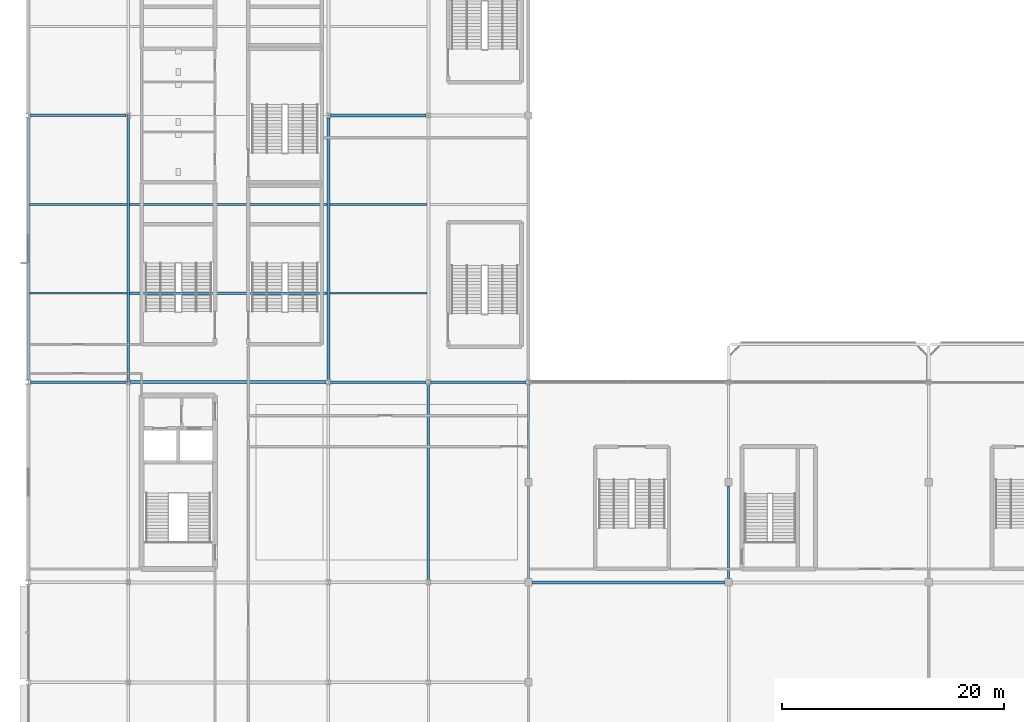
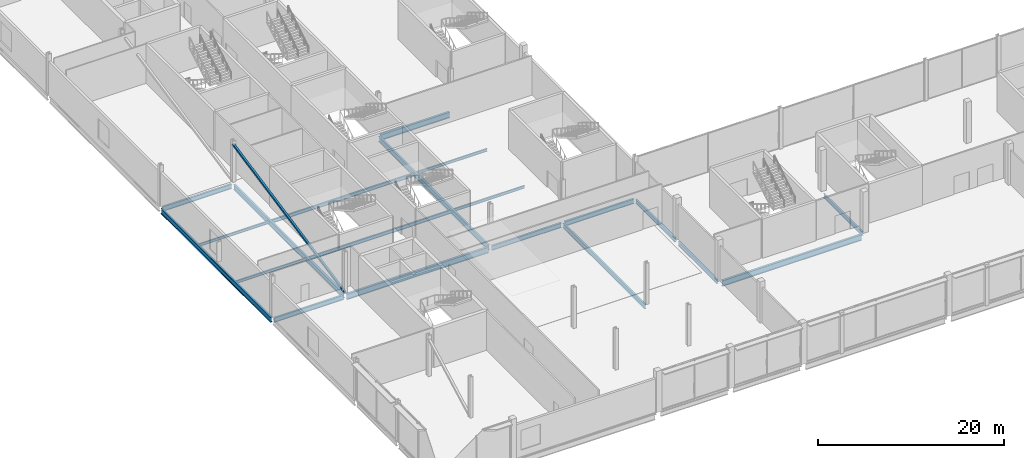
# One storey, part 16 of 113: 20 beams, 1 member.
"""IFC4 building model written with IfcOpenShell, lengths in metres."""

from ifc_helpers import new_model, si_unit, direction, frame, origin, origin_2d, place, context, subcontext, project, spatial, hollow_rectangle, i_section, extrude, material, material_profile, profile_set, type_object, element, save


model = new_model("IFC4")

# Units and contexts
model_context = context("Model", 3, precision=1e-05, world=origin(), true_north=direction((0.0, 1.0)))
body_context = subcontext(model_context, "Body", "Model", "MODEL_VIEW")
ifc_project = project(units=[si_unit("LENGTHUNIT", "METRE"), si_unit("AREAUNIT", "SQUARE_METRE"), si_unit("VOLUMEUNIT", "CUBIC_METRE"), si_unit("PLANEANGLEUNIT", "RADIAN"), si_unit("MASSUNIT", "GRAM", prefix="KILO")], contexts=[model_context])

# Site, building, storey
site_placement = place(None, origin())
site = spatial("IfcSite", under=ifc_project, at=site_placement, CompositionType="ELEMENT")
building_placement = place(site_placement, origin())
building = spatial("IfcBuilding", under=site, at=building_placement, Name="Kisiwana Market Hall", CompositionType="ELEMENT")
storey_placement = place(building_placement, frame((0.0, 0.0, 6.0)))
storey = spatial("IfcBuildingStorey", under=building, at=storey_placement, Name="L01", CompositionType="ELEMENT", Elevation=6.0)

# Beams
ifc_material_1 = material(Name="Steel S355", Category="steel")
ifc_material_profile_1 = material_profile(ifc_material_1, i_section(OverallWidth=0.209228515625, OverallDepth=0.533203125, WebThickness=0.010009765625, FlangeThickness=0.015625, at=origin_2d()), Name="UB 533x210x92")
ifc_profile_set_1 = profile_set([ifc_material_profile_1], Name="Steel S355")
beam_type_1 = type_object("IfcBeamType", Name="BM-GIRD-UB533", PredefinedType="BEAM", material=ifc_profile_set_1)
beam_1_placement = place(storey_placement, frame((45.0, 18.345947265625, -0.5166015625), z_axis=(0.0, 1.0, 0.0), x_axis=(-1.0, 0.0, 0.0)))
element("IfcBeam", 1, at=beam_1_placement, inside=storey, type_object=beam_type_1, Name="Primary girder B-0355", PredefinedType="BEAM", context=body_context, shape_type="SweptSolid", body=[
    extrude(i_section(OverallWidth=0.209228515625, OverallDepth=0.533203125, WebThickness=0.010009765625, FlangeThickness=0.015625, at=origin_2d()), origin(), (0.0, 0.0, 1.0), 8.30810546875),
])
beam_2_placement = place(storey_placement, frame((45.0, 27.345947265625, -0.5166015625), z_axis=(0.0, 1.0, 0.0), x_axis=(-1.0, 0.0, 0.0)))
element("IfcBeam", 2, at=beam_2_placement, inside=storey, type_object=beam_type_1, Name="Primary girder B-0356", PredefinedType="BEAM", context=body_context, shape_type="SweptSolid", body=[
    extrude(i_section(OverallWidth=0.209228515625, OverallDepth=0.533203125, WebThickness=0.010009765625, FlangeThickness=0.015625, at=origin_2d()), origin(), (0.0, 0.0, 1.0), 8.440673828125),
])
beam_3_placement = place(storey_placement, frame((63.0, 18.345947265625, -0.5166015625), z_axis=(0.0, 1.0, 0.0), x_axis=(-1.0, 0.0, 0.0)))
element("IfcBeam", 3, at=beam_3_placement, inside=storey, type_object=beam_type_1, Name="Primary girder B-0362", PredefinedType="BEAM", context=body_context, shape_type="SweptSolid", body=[
    extrude(i_section(OverallWidth=0.209228515625, OverallDepth=0.533203125, WebThickness=0.010009765625, FlangeThickness=0.015625, at=origin_2d()), origin(), (0.0, 0.0, 1.0), 8.30810546875),
])
ifc_material_2 = material(Name="Steel S355", Category="steel")
ifc_material_profile_2 = material_profile(ifc_material_2, i_section(OverallWidth=0.22900390625, OverallDepth=0.6123046875, WebThickness=0.011962890625, FlangeThickness=0.01953125, at=origin_2d()), Name="UB 610x229x125")
ifc_profile_set_2 = profile_set([ifc_material_profile_2], Name="Steel S355")
beam_type_2 = type_object("IfcBeamType", Name="BM-GIRD-UB610H", PredefinedType="BEAM", material=ifc_profile_set_2)
for number, where, z_axis, x_axis, name in (
    (4, (0.201904296875, 36.0, -0.55615234375), (1.0, 0.0, 0.0), (0.0, 1.0, 0.0), "Floor beam B-0485"),
    (5, (27.201904296875, 36.0, -0.55615234375), (1.0, 0.0, 0.0), (0.0, 1.0, 0.0), "Floor beam B-0487"),
    (6, (36.201904296875, 36.0, -0.55615234375), (1.0, 0.0, 0.0), (0.0, 1.0, 0.0), "Floor beam B-0488"),
    (7, (0.201904296875, 60.0, -0.55615234375), (1.0, 0.0, 0.0), (0.0, 1.0, 0.0), "Primary girder B-0329"),
):
    element("IfcBeam", number, at=place(storey_placement, frame(where, z_axis=z_axis, x_axis=x_axis)), inside=storey, type_object=beam_type_2, Name=name, PredefinedType="BEAM", context=body_context, shape_type="SweptSolid", body=[
        extrude(i_section(OverallWidth=0.22900390625, OverallDepth=0.6123046875, WebThickness=0.011962890625, FlangeThickness=0.01953125, at=origin_2d()), origin(), (0.0, 0.0, 1.0), 8.59619140625),
    ])
beam_4_placement = place(storey_placement, frame((36.0, 18.21337890625, -0.55615234375), z_axis=(0.0, 1.0, 0.0), x_axis=(-1.0, 0.0, 0.0)))
element("IfcBeam", 8, at=beam_4_placement, inside=storey, type_object=beam_type_2, Name="Primary girder B-0347", PredefinedType="BEAM", context=body_context, shape_type="SweptSolid", body=[
    extrude(i_section(OverallWidth=0.22900390625, OverallDepth=0.6123046875, WebThickness=0.011962890625, FlangeThickness=0.01953125, at=origin_2d()), origin(), (0.0, 0.0, 1.0), 17.5732421875),
])
ifc_material_3 = material(Name="Steel S355", Category="steel")
ifc_material_profile_3 = material_profile(ifc_material_3, i_section(OverallWidth=0.253662109375, OverallDepth=0.68359375, WebThickness=0.012451171875, FlangeThickness=0.01904296875, at=origin_2d()), Name="UB 686x254x140")
ifc_profile_set_3 = profile_set([ifc_material_profile_3], Name="Steel S355")
beam_type_3 = type_object("IfcBeamType", Name="BM-GIRD-UB686", PredefinedType="BEAM", material=ifc_profile_set_3)
for number, where, z_axis, x_axis, name in (
    (9, (0.0, 36.21337890625, -0.591796875), (0.0, 1.0, 0.0), (-1.0, 0.0, 0.0), "Floor beam B-0558"),
    (10, (27.0, 36.21337890625, -0.591796875), (0.0, 1.0, 0.0), (-1.0, 0.0, 0.0), "Floor beam B-0563"),
    (11, (9.0, 36.21337890625, -0.591796875), (0.0, 1.0, 0.0), (-1.0, 0.0, 0.0), "Primary girder B-0334"),
):
    element("IfcBeam", number, at=place(storey_placement, frame(where, z_axis=z_axis, x_axis=x_axis)), inside=storey, type_object=beam_type_3, Name=name, PredefinedType="BEAM", context=body_context, shape_type="SweptSolid", body=[
        extrude(i_section(OverallWidth=0.253662109375, OverallDepth=0.68359375, WebThickness=0.012451171875, FlangeThickness=0.01904296875, at=origin_2d()), origin(), (0.0, 0.0, 1.0), 23.5732421875),
    ])
ifc_material_4 = material(Name="Steel S355", Category="steel")
ifc_material_profile_4 = material_profile(ifc_material_4, i_section(OverallWidth=0.2666015625, OverallDepth=0.76220703125, WebThickness=0.014404296875, FlangeThickness=0.021484375, at=origin_2d()), Name="UB 762x267x173")
ifc_profile_set_4 = profile_set([ifc_material_profile_4], Name="Steel S355")
beam_type_4 = type_object("IfcBeamType", Name="BM-GIRD-UB762", PredefinedType="BEAM", material=ifc_profile_set_4)
beam_5_placement = place(storey_placement, frame((45.345947265625, 18.0, -0.631103515625), z_axis=(1.0, 0.0, 0.0), x_axis=(0.0, 1.0, 0.0)))
element("IfcBeam", 12, at=beam_5_placement, inside=storey, type_object=beam_type_4, Name="Floor beam B-0475", PredefinedType="BEAM", context=body_context, shape_type="SweptSolid", body=[
    extrude(i_section(OverallWidth=0.2666015625, OverallDepth=0.76220703125, WebThickness=0.014404296875, FlangeThickness=0.021484375, at=origin_2d()), origin(), (0.0, 0.0, 1.0), 17.30810546875),
])
beam_6_placement = place(storey_placement, frame((9.201904296875, 36.0, -0.631103515625), z_axis=(1.0, 0.0, 0.0), x_axis=(0.0, 1.0, 0.0)))
element("IfcBeam", 13, at=beam_6_placement, inside=storey, type_object=beam_type_4, Name="Floor beam B-0486", PredefinedType="BEAM", context=body_context, shape_type="SweptSolid", body=[
    extrude(i_section(OverallWidth=0.2666015625, OverallDepth=0.76220703125, WebThickness=0.014404296875, FlangeThickness=0.021484375, at=origin_2d()), origin(), (0.0, 0.0, 1.0), 17.59619140625),
])
beam_7_placement = place(storey_placement, frame((27.201904296875, 60.0, -0.631103515625), z_axis=(1.0, 0.0, 0.0), x_axis=(0.0, 1.0, 0.0)))
element("IfcBeam", 14, at=beam_7_placement, inside=storey, type_object=beam_type_4, Name="Floor beam B-0501", PredefinedType="BEAM", context=body_context, shape_type="SweptSolid", body=[
    extrude(i_section(OverallWidth=0.2666015625, OverallDepth=0.76220703125, WebThickness=0.014404296875, FlangeThickness=0.021484375, at=origin_2d()), origin(), (0.0, 0.0, 1.0), 8.59619140625),
])
ifc_material_5 = material(Name="Steel S355", Category="steel")
ifc_material_profile_5 = material_profile(ifc_material_5, i_section(OverallWidth=0.17138671875, OverallDepth=0.35498046875, WebThickness=0.00732421875, FlangeThickness=0.011474609375, at=origin_2d()), Name="UB 356x171x51")
ifc_profile_set_5 = profile_set([ifc_material_profile_5], Name="Steel S355")
beam_type_5 = type_object("IfcBeamType", Name="BM-JOIST-UB356", PredefinedType="JOIST", material=ifc_profile_set_5)
for number, where, z_axis, x_axis, name in (
    (15, (0.125732421875, 44.0, -0.427490234375), (1.0, 0.0, 0.0), (0.0, 1.0, 0.0), "Secondary floor joist B-0421"),
    (16, (27.125732421875, 44.0, -0.427490234375), (1.0, 0.0, 0.0), (0.0, 1.0, 0.0), "Secondary floor joist B-0423"),
    (17, (0.125732421875, 52.0, -0.427490234375), (1.0, 0.0, 0.0), (0.0, 1.0, 0.0), "Secondary floor joist B-0427"),
    (18, (27.125732421875, 52.0, -0.427490234375), (1.0, 0.0, 0.0), (0.0, 1.0, 0.0), "Secondary floor joist B-0429"),
):
    element("IfcBeam", number, at=place(storey_placement, frame(where, z_axis=z_axis, x_axis=x_axis)), inside=storey, type_object=beam_type_5, Name=name, PredefinedType="JOIST", context=body_context, shape_type="SweptSolid", body=[
        extrude(i_section(OverallWidth=0.17138671875, OverallDepth=0.35498046875, WebThickness=0.00732421875, FlangeThickness=0.011474609375, at=origin_2d()), origin(), (0.0, 0.0, 1.0), 8.74853515625),
    ])
ifc_material_6 = material(Name="Steel S355", Category="steel")
ifc_material_profile_6 = material_profile(ifc_material_6, i_section(OverallWidth=0.18994140625, OverallDepth=0.453369140625, WebThickness=0.008544921875, FlangeThickness=0.0126953125, at=origin_2d()), Name="UB 457x191x67")
ifc_profile_set_6 = profile_set([ifc_material_profile_6], Name="Steel S355")
beam_type_6 = type_object("IfcBeamType", Name="BM-JOIST-UB457", PredefinedType="JOIST", material=ifc_profile_set_6)
for number, where, z_axis, x_axis, name in (
    (19, (9.125732421875, 44.0, -0.476806640625), (1.0, 0.0, 0.0), (0.0, 1.0, 0.0), "Secondary floor joist B-0422"),
    (20, (9.125732421875, 52.0, -0.476806640625), (1.0, 0.0, 0.0), (0.0, 1.0, 0.0), "Secondary floor joist B-0428"),
):
    element("IfcBeam", number, at=place(storey_placement, frame(where, z_axis=z_axis, x_axis=x_axis)), inside=storey, type_object=beam_type_6, Name=name, PredefinedType="JOIST", context=body_context, shape_type="SweptSolid", body=[
        extrude(i_section(OverallWidth=0.18994140625, OverallDepth=0.453369140625, WebThickness=0.008544921875, FlangeThickness=0.0126953125, at=origin_2d()), origin(), (0.0, 0.0, 1.0), 17.74853515625),
    ])

# Member
ifc_material_7 = material(Name="Steel S355", Category="steel")
ifc_material_profile_7 = material_profile(ifc_material_7, hollow_rectangle(XDim=0.25, YDim=0.25, WallThickness=0.012451171875, at=origin_2d()), Name="SHS 250x250x12.5")
ifc_profile_set_7 = profile_set([ifc_material_profile_7], Name="Steel S355")
member_type = type_object("IfcMemberType", Name="MB-CBF-SHS250", PredefinedType="BRACE", material=ifc_profile_set_7)
member_placement = place(storey_placement, frame((9.0, 36.0, 0.0), z_axis=(0.0, 0.980185232723, 0.198083087497), x_axis=(-1.0, 0.0, 0.0)))
element("IfcMember", 21, at=member_placement, inside=storey, type_object=member_type, Name="CBF-POD-W diagonal brace (L01) M-0017", PredefinedType="BRACE", context=body_context, shape_type="SweptSolid", body=[
    extrude(hollow_rectangle(XDim=0.25, YDim=0.25, WallThickness=0.012451171875, at=origin_2d()), origin(), (0.0, 0.0, 1.0), 24.485107421875),
])

save(model, "model.ifc")
